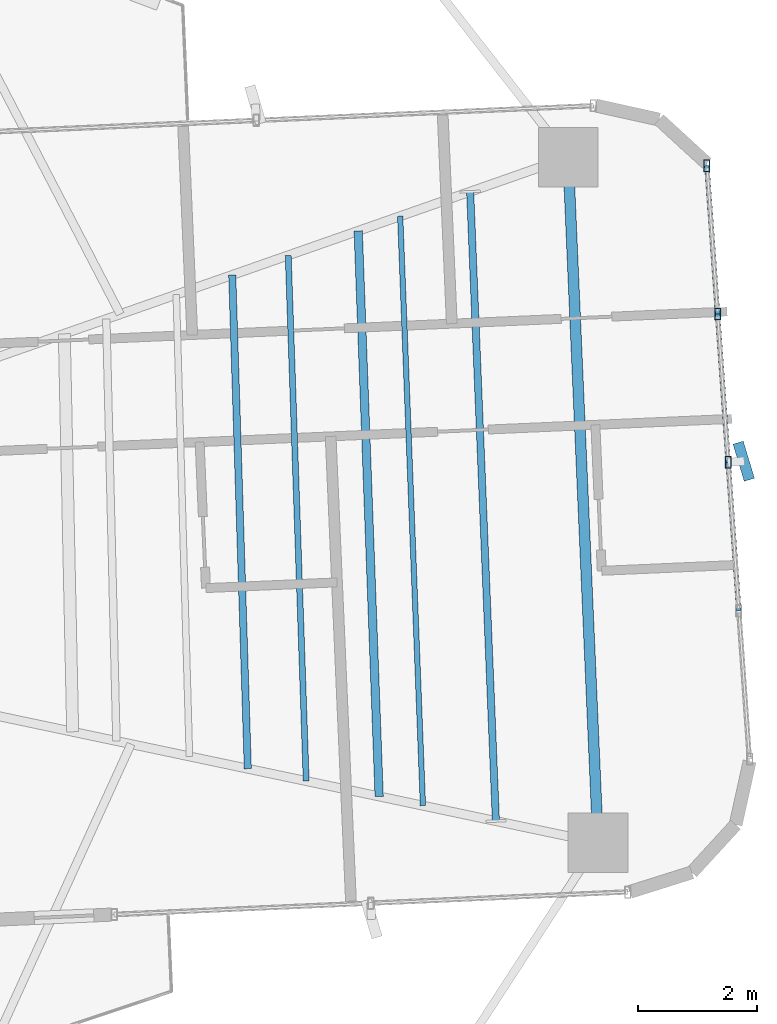
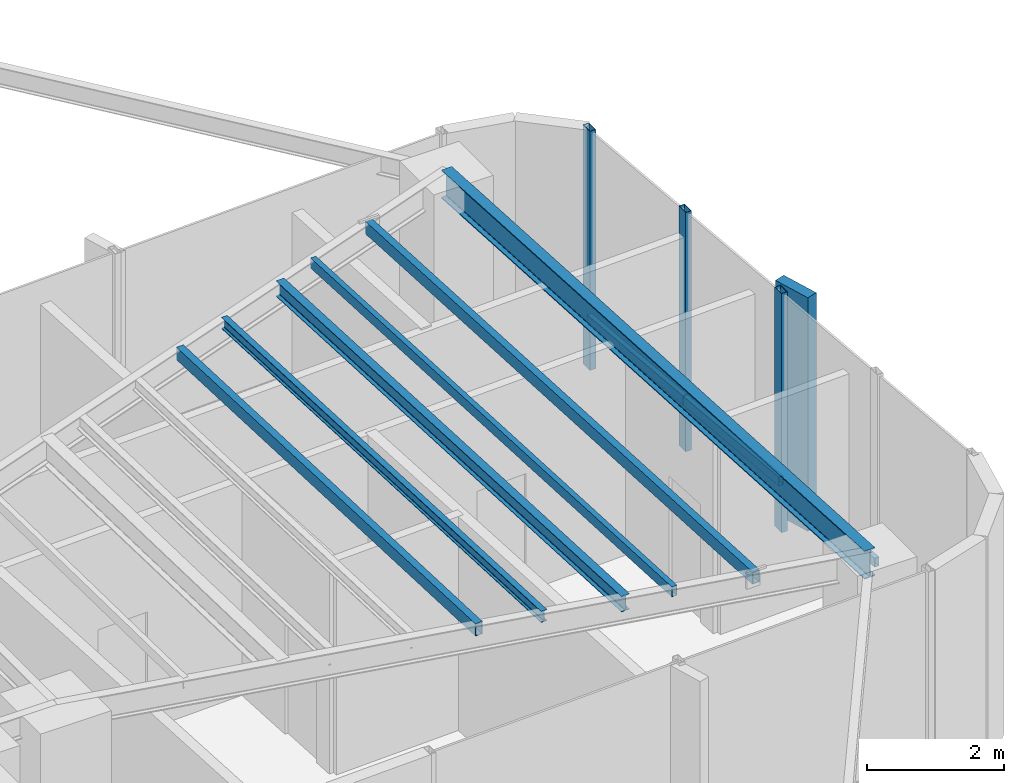
# One storey, part 9 of 23: 7 members, 6 beams, 1 element without a shape of its own.
"""IFC4 building model written with IfcOpenShell, lengths in metres."""

from ifc_helpers import new_model, si_unit, direction, frame, origin, origin_2d, place, context, subcontext, project, spatial, rectangle, hollow_rectangle, i_section, extrude, source, transform, mapped, material, material_profile, profile_set, type_object, element, aggregate, save


model = new_model("IFC4")

# Units and contexts
model_context = context("Model", 3, precision=1e-05, world=origin(), true_north=direction((0.0, 1.0)))
body_context = subcontext(model_context, "Body", "Model", "MODEL_VIEW")
ifc_project = project(units=[si_unit("LENGTHUNIT", "METRE"), si_unit("AREAUNIT", "SQUARE_METRE"), si_unit("VOLUMEUNIT", "CUBIC_METRE"), si_unit("PLANEANGLEUNIT", "RADIAN"), si_unit("MASSUNIT", "GRAM", prefix="KILO")], contexts=[model_context])

# Site, building, storey
site_placement = place(None, origin())
site = spatial("IfcSite", under=ifc_project, at=site_placement, CompositionType="ELEMENT")
building_placement = place(site_placement, origin())
building = spatial("IfcBuilding", under=site, at=building_placement, Name="Sahyath Konkavel Grand Hotel", CompositionType="ELEMENT")
storey_placement = place(building_placement, frame((0.0, 0.0, 106.949951171875)))
storey = spatial("IfcBuildingStorey", under=building, at=storey_placement, Name="L29", CompositionType="ELEMENT", Elevation=106.949951171875)

# Beams
ifc_material_1 = material(Name="Steel E350", Category="steel")
ifc_material_profile_1 = material_profile(ifc_material_1, i_section(OverallWidth=0.179931640625, OverallDepth=0.5, WebThickness=0.01025390625, FlangeThickness=0.01708984375, FilletRadius=0.01708984375, at=origin_2d()), Name="ISMB 500")
ifc_profile_set_1 = profile_set([ifc_material_profile_1], Name="Steel E350")
beam_type_1 = type_object("IfcBeamType", Name="BM-ISMB500", PredefinedType="BEAM", material=ifc_profile_set_1)
shared_shape_1 = source(origin(), body_context, "Body", "SweptSolid", [
    extrude(i_section(OverallWidth=0.179931640625, OverallDepth=0.5, WebThickness=0.01025390625, FlangeThickness=0.01708984375, FilletRadius=0.01708984375, at=origin_2d()), origin(), (0.0, 0.0, 1.0), 11.5),
])
beam_1_placement = place(storey_placement, frame((17.734130859375, -4.981201171875, 4.010009765625), z_axis=(-0.043627008892, 0.99904788879, 0.0), x_axis=(-0.99904788879, -0.043627008892, 0.0)))
element("IfcBeam", 1, at=beam_1_placement, inside=storey, type_object=beam_type_1, Name="L29 Wing Tip Edge Beam E", PredefinedType="BEAM", context=body_context, shape_type="MappedRepresentation", body=[
    mapped(shared_shape_1, transform((0.0, 0.0, 0.0), scale=1.0)),
])
ifc_material_profile_2 = material_profile(ifc_material_1, hollow_rectangle(XDim=0.1201171875, YDim=0.219970703125, WallThickness=0.010009765625, at=origin_2d()), Name="RHS 220x120x10")
ifc_profile_set_2 = profile_set([ifc_material_profile_2], Name="Steel E350")
beam_type_2 = type_object("IfcBeamType", Name="BM-RHS220", PredefinedType="BEAM", material=ifc_profile_set_2)
shared_shape_2 = source(origin(), body_context, "Body", "SweptSolid", [
    extrude(hollow_rectangle(XDim=0.1201171875, YDim=0.219970703125, WallThickness=0.010009765625, at=origin_2d()), origin(), (0.0, 0.0, 1.0), 8.282470703125),
])
beam_2_placement = place(storey_placement, frame((11.86181640625, -3.7421875, 4.150146484375), z_axis=(-0.031510827707, 0.999503410568, 0.0), x_axis=(-0.999503410568, -0.031510827707, 0.0)))
element("IfcBeam", 2, at=beam_2_placement, inside=storey, type_object=beam_type_2, Name="L29 Secondary Floor Beam E-2", PredefinedType="BEAM", context=body_context, shape_type="MappedRepresentation", body=[
    mapped(shared_shape_2, transform((0.0, 0.0, 0.0), scale=1.0)),
])
ifc_material_profile_3 = material_profile(ifc_material_1, hollow_rectangle(XDim=0.090087890625, YDim=0.179931640625, WallThickness=0.008056640625, at=origin_2d()), Name="RHS 180x90x8")
ifc_profile_set_3 = profile_set([ifc_material_profile_3], Name="Steel E350")
beam_type_3 = type_object("IfcBeamType", Name="BM-RHS180", PredefinedType="BEAM", material=ifc_profile_set_3)
shared_shape_3 = source(origin(), body_context, "Body", "SweptSolid", [
    extrude(hollow_rectangle(XDim=0.090087890625, YDim=0.179931640625, WallThickness=0.008056640625, at=origin_2d()), origin(), (0.0, 0.0, 1.0), 9.89111328125),
])
beam_3_placement = place(storey_placement, frame((14.798095703125, -4.36181640625, 4.170166015625), z_axis=(-0.03855445741, 0.999256500511, 0.0), x_axis=(-0.999256500511, -0.03855445741, 0.0)))
element("IfcBeam", 3, at=beam_3_placement, inside=storey, type_object=beam_type_3, Name="L29 Secondary Floor Beam E-3", PredefinedType="BEAM", context=body_context, shape_type="MappedRepresentation", body=[
    mapped(shared_shape_3, transform((0.0, 0.0, 0.0), scale=1.0)),
])
ifc_material_profile_4 = material_profile(ifc_material_1, i_section(OverallWidth=0.10009765625, OverallDepth=0.199951171875, WebThickness=0.005615234375, FlangeThickness=0.0107421875, FilletRadius=0.010986328125, at=origin_2d()), Name="ISMB 200")
ifc_profile_set_4 = profile_set([ifc_material_profile_4], Name="Steel E350")
beam_type_4 = type_object("IfcBeamType", Name="BM-ISMB200", PredefinedType="BEAM", material=ifc_profile_set_4)
shared_shape_4 = source(origin(), body_context, "Body", "SweptSolid", [
    extrude(i_section(OverallWidth=0.10009765625, OverallDepth=0.199951171875, WebThickness=0.005615234375, FlangeThickness=0.0107421875, FilletRadius=0.010986328125, at=origin_2d()), origin(), (0.0, 0.0, 1.0), 8.818603515625),
])
beam_4_placement = place(storey_placement, frame((12.840576171875, -3.94873046875, 4.16015625), z_axis=(-0.034135219852, 0.999417223569, 0.0), x_axis=(-0.999417223569, -0.034135219852, 0.0)))
element("IfcBeam", 4, at=beam_4_placement, inside=storey, type_object=beam_type_4, Name="L29 Composite Deck Sub-Beam E-4", PredefinedType="BEAM", context=body_context, shape_type="MappedRepresentation", body=[
    mapped(shared_shape_4, transform((0.0, 0.0, 0.0), scale=1.0)),
])
ifc_material_profile_5 = material_profile(ifc_material_1, i_section(OverallWidth=0.139892578125, OverallDepth=0.27490234375, WebThickness=0.00634765625, FlangeThickness=0.0087890625, FilletRadius=0.012939453125, at=origin_2d()), Name="ISLB 275")
ifc_profile_set_5 = profile_set([ifc_material_profile_5], Name="Steel E350")
beam_type_5 = type_object("IfcBeamType", Name="BM-ISLB275", PredefinedType="BEAM", material=ifc_profile_set_5)
shared_shape_5 = source(origin(), body_context, "Body", "SweptSolid", [
    extrude(i_section(OverallWidth=0.139892578125, OverallDepth=0.27490234375, WebThickness=0.00634765625, FlangeThickness=0.0087890625, FilletRadius=0.012939453125, at=origin_2d()), origin(), (0.0, 0.0, 1.0), 9.48876953125),
])
beam_5_placement = place(storey_placement, frame((14.06396484375, -4.206787109375, 4.12255859375), z_axis=(-0.03699928911, 0.99931529189, 0.0), x_axis=(-0.99931529189, -0.03699928911, 0.0)))
element("IfcBeam", 5, at=beam_5_placement, inside=storey, type_object=beam_type_5, Name="L29 Composite Deck Sub-Beam E-5", PredefinedType="BEAM", context=body_context, shape_type="MappedRepresentation", body=[
    mapped(shared_shape_5, transform((0.0, 0.0, 0.0), scale=1.0)),
])
shared_shape_6 = source(origin(), body_context, "Body", "SweptSolid", [
    extrude(hollow_rectangle(XDim=0.1201171875, YDim=0.219970703125, WallThickness=0.010009765625, at=origin_2d()), origin(), (0.0, 0.0, 1.0), 10.5615234375),
])
beam_6_placement = place(storey_placement, frame((16.021484375, -4.619873046875, 4.150146484375), z_axis=(-0.040869027801, 0.999164512263, 0.0), x_axis=(-0.999164512263, -0.040869027801, 0.0)))
element("IfcBeam", 6, at=beam_6_placement, inside=storey, type_object=beam_type_2, Name="L29 Composite Deck Sub-Beam E-6", PredefinedType="BEAM", context=body_context, shape_type="MappedRepresentation", body=[
    mapped(shared_shape_6, transform((0.0, 0.0, 0.0), scale=1.0)),
])

# Curtain wall, members
ifc_material_2 = material(Name="Anodised Bronze Aluminium & Low-E Glazing", Category="aluminium")
curtain_wall_type = type_object("IfcCurtainWallType", Name="CW-SKYLOBBY", PredefinedType="NOTDEFINED", material=ifc_material_2)
curtain_wall_placement = place(storey_placement, origin())
curtain_wall = element("IfcCurtainWall", 7, at=curtain_wall_placement, inside=storey, type_object=curtain_wall_type, Name="L29 Unitised Curtain Wall F4", PredefinedType="NOTDEFINED")
ifc_material_3 = material(Name="Anodised Bronze Aluminium", Category="aluminium")
ifc_material_profile_6 = material_profile(ifc_material_3, hollow_rectangle(XDim=0.10009765625, YDim=0.199951171875, WallThickness=0.008056640625, at=origin_2d()), Name="RHS 200x100x8")
ifc_profile_set_6 = profile_set([ifc_material_profile_6], Name="Anodised Bronze Aluminium")
member_type_1 = type_object("IfcMemberType", Name="CW-MUL-200", PredefinedType="MULLION", material=ifc_profile_set_6)
shared_shape_7 = source(origin(), body_context, "Body", "SweptSolid", [
    extrude(hollow_rectangle(XDim=0.10009765625, YDim=0.199951171875, WallThickness=0.008056640625, at=origin_2d()), origin(), (0.0, 0.0, 1.0), 4.260009765625),
])
member_1_placement = place(storey_placement, frame((19.91748046875, 1.39501953125, 0.0), z_axis=(0.0, 0.0, 1.0), x_axis=(1.0, 0.0, 0.0)))
member_1 = element("IfcMember", 8, at=member_1_placement, type_object=member_type_1, Name="L29 Curtain Wall Mullion F4-2", PredefinedType="MULLION", context=body_context, shape_type="MappedRepresentation", body=[
    mapped(shared_shape_7, transform((0.0, 0.0, 0.0), scale=1.0)),
])
member_2_placement = place(storey_placement, frame((19.739013671875, 3.882080078125, 0.0), z_axis=(0.0, 0.0, 1.0), x_axis=(1.0, 0.0, 0.0)))
member_2 = element("IfcMember", 9, at=member_2_placement, type_object=member_type_1, Name="L29 Curtain Wall Mullion F4-3", PredefinedType="MULLION", context=body_context, shape_type="MappedRepresentation", body=[
    mapped(shared_shape_7, transform((0.0, 0.0, 0.0), scale=1.0)),
])
member_3_placement = place(storey_placement, frame((19.560546875, 6.369384765625, 0.0), z_axis=(0.0, 0.0, 1.0), x_axis=(1.0, 0.0, 0.0)))
member_3 = element("IfcMember", 10, at=member_3_placement, type_object=member_type_1, Name="L29 Curtain Wall Mullion F4-4", PredefinedType="MULLION", context=body_context, shape_type="MappedRepresentation", body=[
    mapped(shared_shape_7, transform((0.0, 0.0, 0.0), scale=1.0)),
])
ifc_material_4 = material(Name="Warm Buff Sandstone Cladding on Concrete C50/60", Category="masonry")
ifc_material_profile_7 = material_profile(ifc_material_4, rectangle(XDim=0.179931640625, YDim=0.64990234375, at=origin_2d()), Name="FIN 180x650")
ifc_profile_set_7 = profile_set([ifc_material_profile_7], Name="Warm Buff Sandstone Cladding on Concrete C50/60")
member_type_2 = type_object("IfcMemberType", Name="FIN-SANDSTONE-650", PredefinedType="MULLION", material=ifc_profile_set_7)
shared_shape_8 = source(origin(), body_context, "Body", "SweptSolid", [
    extrude(rectangle(XDim=0.179931640625, YDim=0.64990234375, at=origin_2d()), origin(), (0.0, 0.0, 1.0), 4.159912109375),
])
member_4_placement = place(storey_placement, frame((20.1767578125, 1.413818359375, 0.050048828125), z_axis=(0.0, 0.0, 1.0), x_axis=(0.957621645958, 0.288029136015, 0.0)))
member_4 = element("IfcMember", 11, at=member_4_placement, type_object=member_type_2, Name="L29 Sandstone Vertical Solar Fin FIN F4-2", PredefinedType="MULLION", context=body_context, shape_type="MappedRepresentation", body=[
    mapped(shared_shape_8, transform((0.0, 0.0, 0.0), scale=1.0)),
])
ifc_material_profile_8 = material_profile(ifc_material_3, hollow_rectangle(XDim=0.080078125, YDim=0.159912109375, WallThickness=0.006103515625, at=origin_2d()), Name="RHS 160x80x6")
ifc_profile_set_8 = profile_set([ifc_material_profile_8], Name="Anodised Bronze Aluminium")
member_type_3 = type_object("IfcMemberType", Name="CW-TRN-160", PredefinedType="USERDEFINED", material=ifc_profile_set_8)
shared_shape_9 = source(origin(), body_context, "Body", "SweptSolid", [
    extrude(hollow_rectangle(XDim=0.080078125, YDim=0.159912109375, WallThickness=0.006103515625, at=origin_2d()), origin(), (0.0, 0.0, 1.0), 2.493408203125),
])
member_5_placement = place(storey_placement, frame((20.095947265625, -1.092041015625, 0.85009765625), z_axis=(-0.071574084062, 0.997435286367, 0.0), x_axis=(-0.997435286367, -0.071574084062, 0.0)))
member_5 = element("IfcMember", 12, at=member_5_placement, type_object=member_type_3, Name="L29 Curtain Wall Transom F4-1-spandrel", ObjectType="TRANSOM", PredefinedType="USERDEFINED", context=body_context, shape_type="MappedRepresentation", body=[
    mapped(shared_shape_9, transform((0.0, 0.0, 0.0), scale=1.0)),
])
member_6_placement = place(storey_placement, frame((19.91748046875, 1.39501953125, 0.85009765625), z_axis=(-0.071574084062, 0.997435286367, 0.0), x_axis=(-0.997435286367, -0.071574084062, 0.0)))
member_6 = element("IfcMember", 13, at=member_6_placement, type_object=member_type_3, Name="L29 Curtain Wall Transom F4-2-spandrel", ObjectType="TRANSOM", PredefinedType="USERDEFINED", context=body_context, shape_type="MappedRepresentation", body=[
    mapped(shared_shape_9, transform((0.0, 0.0, 0.0), scale=1.0)),
])
shared_shape_10 = source(origin(), body_context, "Body", "SweptSolid", [
    extrude(hollow_rectangle(XDim=0.080078125, YDim=0.159912109375, WallThickness=0.006103515625, at=origin_2d()), origin(), (0.0, 0.0, 1.0), 2.49365234375),
])
member_7_placement = place(storey_placement, frame((19.739013671875, 3.882080078125, 0.85009765625), z_axis=(-0.071567094714, 0.997435787885, 0.0), x_axis=(-0.997435787885, -0.071567094714, 0.0)))
member_7 = element("IfcMember", 14, at=member_7_placement, type_object=member_type_3, Name="L29 Curtain Wall Transom F4-3-spandrel", ObjectType="TRANSOM", PredefinedType="USERDEFINED", context=body_context, shape_type="MappedRepresentation", body=[
    mapped(shared_shape_10, transform((0.0, 0.0, 0.0), scale=1.0)),
])
aggregate(curtain_wall, [member_1, member_4, member_2, member_3, member_5, member_6, member_7])

save(model, "model.ifc")
